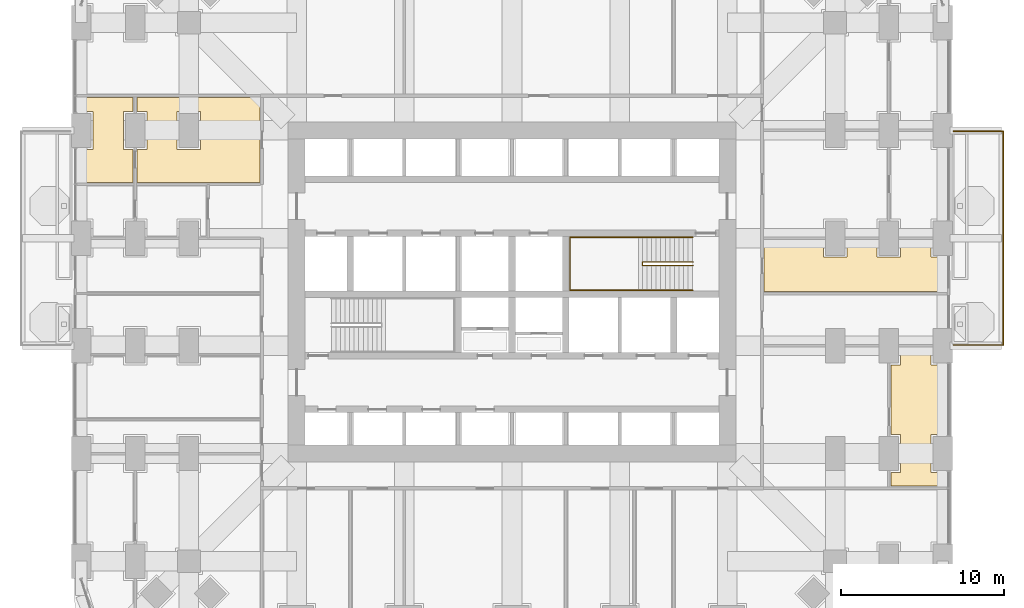
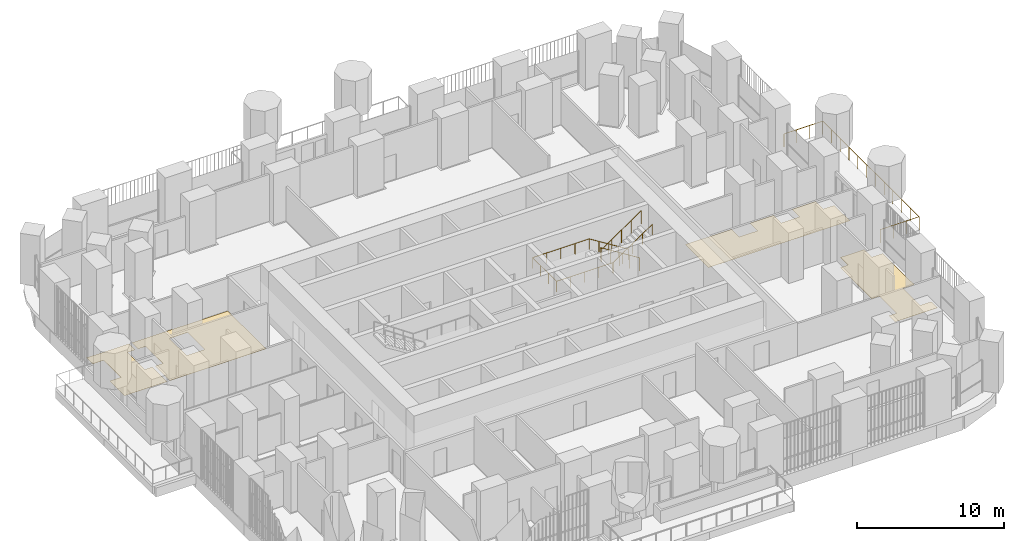
# One storey, part 24 of 26: 4 coverings, 3 railings.
"""IFC4 building model written with IfcOpenShell, lengths in metres."""

from ifc_helpers import new_model, si_unit, direction, frame, origin, place, context, subcontext, project, spatial, polyline, outline, extrude, material, layer, layer_set, type_object, element, save


model = new_model("IFC4")

# Units and contexts
model_context = context("Model", 3, precision=1e-05, world=origin(), true_north=direction((0.0, 1.0)))
body_context = subcontext(model_context, "Body", "Model", "MODEL_VIEW")
ifc_project = project(units=[si_unit("LENGTHUNIT", "METRE"), si_unit("AREAUNIT", "SQUARE_METRE"), si_unit("VOLUMEUNIT", "CUBIC_METRE"), si_unit("PLANEANGLEUNIT", "RADIAN"), si_unit("MASSUNIT", "GRAM", prefix="KILO")], contexts=[model_context])

# Site, building, storey
site_placement = place(None, origin())
site = spatial("IfcSite", under=ifc_project, at=site_placement, CompositionType="ELEMENT")
building_placement = place(site_placement, origin())
building = spatial("IfcBuilding", under=site, at=building_placement, Name="Cobogo Forest Laboratory Tower", CompositionType="ELEMENT")
storey_placement = place(building_placement, frame((0.0, 0.0, 42.300048828125)))
storey = spatial("IfcBuildingStorey", under=building, at=storey_placement, Name="L09", CompositionType="ELEMENT", Elevation=42.300048828125)

# Railing
ifc_material_1 = material(Name="Laminated glass balustrade", Category="glass")
railing_type_1 = type_object("IfcRailingType", Name="BG1 glass balustrade 1100", PredefinedType="GUARDRAIL", material=ifc_material_1)
railing_1_placement = place(storey_placement, frame((53.449951171875, 19.85009765625, 0.0)))
element("IfcRailing", 1, at=railing_1_placement, inside=storey, type_object=railing_type_1, Name="Balcony balustrade BAL-E1 L09", PredefinedType="GUARDRAIL", context=body_context, shape_type="SweptSolid", body=[
    extrude(outline(polyline([(0.022216796875, 0.00927734375), (0.00927734375, 0.022216796875), (-0.00927734375, 0.022216796875), (-0.022216796875, 0.00927734375), (-0.022216796875, -0.00927734375), (-0.00927734375, -0.022216796875), (0.00927734375, -0.022216796875), (0.022216796875, -0.00927734375), (0.022216796875, 0.00927734375)])), frame((0.0, 0.0, 1.077880859375), z_axis=(1.0, 0.0, 0.0), x_axis=(0.0, 1.0, 0.0)), (0.0, 0.0, 1.0), 3.050048828125),
    extrude(outline(polyline([(0.022216796875, 0.00927734375), (0.00927734375, 0.022216796875), (-0.00927734375, 0.022216796875), (-0.022216796875, 0.00927734375), (-0.022216796875, -0.00927734375), (-0.00927734375, -0.022216796875), (0.00927734375, -0.022216796875), (0.022216796875, -0.00927734375), (0.022216796875, 0.00927734375)])), frame((3.050048828125, 0.0, 1.077880859375), z_axis=(0.0, 1.0, 0.0), x_axis=(-1.0, 0.0, 0.0)), (0.0, 0.0, 1.0), 13.099853515625),
    extrude(outline(polyline([(0.022216796875, 0.00927734375), (0.00927734375, 0.022216796875), (-0.00927734375, 0.022216796875), (-0.022216796875, 0.00927734375), (-0.022216796875, -0.00927734375), (-0.00927734375, -0.022216796875), (0.00927734375, -0.022216796875), (0.022216796875, -0.00927734375), (0.022216796875, 0.00927734375)])), frame((3.050048828125, 13.099853515625, 1.077880859375), z_axis=(-1.0, 0.0, 0.0), x_axis=(0.0, -1.0, 0.0)), (0.0, 0.0, 1.0), 3.050048828125),
    extrude(outline(polyline([(0.019287109375, 0.008056640625), (0.008056640625, 0.019287109375), (-0.008056640625, 0.019287109375), (-0.019287109375, 0.008056640625), (-0.019287109375, -0.008056640625), (-0.008056640625, -0.019287109375), (0.008056640625, -0.019287109375), (0.019287109375, -0.008056640625), (0.019287109375, 0.008056640625)])), origin(), (0.0, 0.0, 1.0), 1.077880859375),
    extrude(outline(polyline([(0.019287109375, 0.008056640625), (0.008056640625, 0.019287109375), (-0.008056640625, 0.019287109375), (-0.019287109375, 0.008056640625), (-0.019287109375, -0.008056640625), (-0.008056640625, -0.019287109375), (0.008056640625, -0.019287109375), (0.019287109375, -0.008056640625), (0.019287109375, 0.008056640625)])), frame((1.0166015625, 0.0, 0.0)), (0.0, 0.0, 1.0), 1.077880859375),
    extrude(outline(polyline([(0.019287109375, 0.008056640625), (0.008056640625, 0.019287109375), (-0.008056640625, 0.019287109375), (-0.019287109375, 0.008056640625), (-0.019287109375, -0.008056640625), (-0.008056640625, -0.019287109375), (0.008056640625, -0.019287109375), (0.019287109375, -0.008056640625), (0.019287109375, 0.008056640625)])), frame((2.033447265625, 0.0, 0.0)), (0.0, 0.0, 1.0), 1.077880859375),
    extrude(outline(polyline([(0.019287109375, 0.008056640625), (0.008056640625, 0.019287109375), (-0.008056640625, 0.019287109375), (-0.019287109375, 0.008056640625), (-0.019287109375, -0.008056640625), (-0.008056640625, -0.019287109375), (0.008056640625, -0.019287109375), (0.019287109375, -0.008056640625), (0.019287109375, 0.008056640625)])), frame((3.050048828125, 0.0, 0.0)), (0.0, 0.0, 1.0), 1.077880859375),
    extrude(outline(polyline([(0.019287109375, 0.008056640625), (0.008056640625, 0.019287109375), (-0.008056640625, 0.019287109375), (-0.019287109375, 0.008056640625), (-0.019287109375, -0.008056640625), (-0.008056640625, -0.019287109375), (0.008056640625, -0.019287109375), (0.019287109375, -0.008056640625), (0.019287109375, 0.008056640625)])), frame((3.050048828125, 1.19091796875, 0.0)), (0.0, 0.0, 1.0), 1.077880859375),
    extrude(outline(polyline([(0.019287109375, 0.008056640625), (0.008056640625, 0.019287109375), (-0.008056640625, 0.019287109375), (-0.019287109375, 0.008056640625), (-0.019287109375, -0.008056640625), (-0.008056640625, -0.019287109375), (0.008056640625, -0.019287109375), (0.019287109375, -0.008056640625), (0.019287109375, 0.008056640625)])), frame((3.050048828125, 2.3818359375, 0.0)), (0.0, 0.0, 1.0), 1.077880859375),
    extrude(outline(polyline([(0.019287109375, 0.008056640625), (0.008056640625, 0.019287109375), (-0.008056640625, 0.019287109375), (-0.019287109375, 0.008056640625), (-0.019287109375, -0.008056640625), (-0.008056640625, -0.019287109375), (0.008056640625, -0.019287109375), (0.019287109375, -0.008056640625), (0.019287109375, 0.008056640625)])), frame((3.050048828125, 3.57275390625, 0.0)), (0.0, 0.0, 1.0), 1.077880859375),
    extrude(outline(polyline([(0.019287109375, 0.008056640625), (0.008056640625, 0.019287109375), (-0.008056640625, 0.019287109375), (-0.019287109375, 0.008056640625), (-0.019287109375, -0.008056640625), (-0.008056640625, -0.019287109375), (0.008056640625, -0.019287109375), (0.019287109375, -0.008056640625), (0.019287109375, 0.008056640625)])), frame((3.050048828125, 4.763671875, 0.0)), (0.0, 0.0, 1.0), 1.077880859375),
    extrude(outline(polyline([(0.019287109375, 0.008056640625), (0.008056640625, 0.019287109375), (-0.008056640625, 0.019287109375), (-0.019287109375, 0.008056640625), (-0.019287109375, -0.008056640625), (-0.008056640625, -0.019287109375), (0.008056640625, -0.019287109375), (0.019287109375, -0.008056640625), (0.019287109375, 0.008056640625)])), frame((3.050048828125, 5.95458984375, 0.0)), (0.0, 0.0, 1.0), 1.077880859375),
    extrude(outline(polyline([(0.019287109375, 0.008056640625), (0.008056640625, 0.019287109375), (-0.008056640625, 0.019287109375), (-0.019287109375, 0.008056640625), (-0.019287109375, -0.008056640625), (-0.008056640625, -0.019287109375), (0.008056640625, -0.019287109375), (0.019287109375, -0.008056640625), (0.019287109375, 0.008056640625)])), frame((3.050048828125, 7.145263671875, 0.0)), (0.0, 0.0, 1.0), 1.077880859375),
    extrude(outline(polyline([(0.019287109375, 0.008056640625), (0.008056640625, 0.019287109375), (-0.008056640625, 0.019287109375), (-0.019287109375, 0.008056640625), (-0.019287109375, -0.008056640625), (-0.008056640625, -0.019287109375), (0.008056640625, -0.019287109375), (0.019287109375, -0.008056640625), (0.019287109375, 0.008056640625)])), frame((3.050048828125, 8.336181640625, 0.0)), (0.0, 0.0, 1.0), 1.077880859375),
    extrude(outline(polyline([(0.019287109375, 0.008056640625), (0.008056640625, 0.019287109375), (-0.008056640625, 0.019287109375), (-0.019287109375, 0.008056640625), (-0.019287109375, -0.008056640625), (-0.008056640625, -0.019287109375), (0.008056640625, -0.019287109375), (0.019287109375, -0.008056640625), (0.019287109375, 0.008056640625)])), frame((3.050048828125, 9.527099609375, 0.0)), (0.0, 0.0, 1.0), 1.077880859375),
    extrude(outline(polyline([(0.019287109375, 0.008056640625), (0.008056640625, 0.019287109375), (-0.008056640625, 0.019287109375), (-0.019287109375, 0.008056640625), (-0.019287109375, -0.008056640625), (-0.008056640625, -0.019287109375), (0.008056640625, -0.019287109375), (0.019287109375, -0.008056640625), (0.019287109375, 0.008056640625)])), frame((3.050048828125, 10.718017578125, 0.0)), (0.0, 0.0, 1.0), 1.077880859375),
    extrude(outline(polyline([(0.019287109375, 0.008056640625), (0.008056640625, 0.019287109375), (-0.008056640625, 0.019287109375), (-0.019287109375, 0.008056640625), (-0.019287109375, -0.008056640625), (-0.008056640625, -0.019287109375), (0.008056640625, -0.019287109375), (0.019287109375, -0.008056640625), (0.019287109375, 0.008056640625)])), frame((3.050048828125, 11.908935546875, 0.0)), (0.0, 0.0, 1.0), 1.077880859375),
    extrude(outline(polyline([(0.019287109375, 0.008056640625), (0.008056640625, 0.019287109375), (-0.008056640625, 0.019287109375), (-0.019287109375, 0.008056640625), (-0.019287109375, -0.008056640625), (-0.008056640625, -0.019287109375), (0.008056640625, -0.019287109375), (0.019287109375, -0.008056640625), (0.019287109375, 0.008056640625)])), frame((3.050048828125, 13.099853515625, 0.0)), (0.0, 0.0, 1.0), 1.077880859375),
    extrude(outline(polyline([(0.019287109375, 0.008056640625), (0.008056640625, 0.019287109375), (-0.008056640625, 0.019287109375), (-0.019287109375, 0.008056640625), (-0.019287109375, -0.008056640625), (-0.008056640625, -0.019287109375), (0.008056640625, -0.019287109375), (0.019287109375, -0.008056640625), (0.019287109375, 0.008056640625)])), frame((2.033447265625, 13.099853515625, 0.0)), (0.0, 0.0, 1.0), 1.077880859375),
    extrude(outline(polyline([(0.019287109375, 0.008056640625), (0.008056640625, 0.019287109375), (-0.008056640625, 0.019287109375), (-0.019287109375, 0.008056640625), (-0.019287109375, -0.008056640625), (-0.008056640625, -0.019287109375), (0.008056640625, -0.019287109375), (0.019287109375, -0.008056640625), (0.019287109375, 0.008056640625)])), frame((1.0166015625, 13.099853515625, 0.0)), (0.0, 0.0, 1.0), 1.077880859375),
    extrude(outline(polyline([(0.019287109375, 0.008056640625), (0.008056640625, 0.019287109375), (-0.008056640625, 0.019287109375), (-0.019287109375, 0.008056640625), (-0.019287109375, -0.008056640625), (-0.008056640625, -0.019287109375), (0.008056640625, -0.019287109375), (0.019287109375, -0.008056640625), (0.019287109375, 0.008056640625)])), frame((0.0, 13.099853515625, 0.0)), (0.0, 0.0, 1.0), 1.077880859375),
])

# Coverings
ifc_material_2 = material(Name="Carpet tile on raised access floor", Category="flooring")
ifc_layer_1 = layer(ifc_material_2, 0.008056640625)
ifc_layer_set_1 = layer_set([ifc_layer_1], Name="CT1 carpet tile floor 8")
covering_type_1 = type_object("IfcCoveringType", Name="CT1 carpet tile floor 8", PredefinedType="FLOORING", material=ifc_layer_set_1)
covering_1_placement = place(storey_placement, origin())
element("IfcCovering", 2, at=covering_1_placement, inside=storey, type_object=covering_type_1, Name="Carpet floor L09-12", PredefinedType="FLOORING", context=body_context, shape_type="SweptSolid", body=[
    extrude(outline(polyline([(49.6201171875, 12.030029296875), (50.219970703125, 12.030029296875), (50.219970703125, 14.3701171875), (49.6201171875, 14.3701171875), (49.6201171875, 18.6298828125), (50.219970703125, 18.6298828125), (50.219970703125, 19.679931640625), (52.080078125, 19.679931640625), (52.080078125, 18.6298828125), (52.949951171875, 18.6298828125), (52.949951171875, 14.3701171875), (52.080078125, 14.3701171875), (52.080078125, 12.030029296875), (52.949951171875, 12.030029296875), (52.949951171875, 11.195068359375), (49.6201171875, 11.195068359375), (49.6201171875, 12.030029296875)])), origin(), (0.0, 0.0, 1.0), 0.008056640625),
])
covering_2_placement = place(storey_placement, origin())
element("IfcCovering", 3, at=covering_2_placement, inside=storey, type_object=covering_type_1, Name="Carpet floor L09-34", PredefinedType="FLOORING", context=body_context, shape_type="SweptSolid", body=[
    extrude(outline(polyline([(3.179931640625, 34.169921875), (2.580078125, 34.169921875), (2.580078125, 31.830078125), (3.179931640625, 31.830078125), (3.179931640625, 29.820068359375), (-0.14990234375, 29.820068359375), (-0.14990234375, 31.830078125), (0.719970703125, 31.830078125), (0.719970703125, 34.169921875), (-0.14990234375, 34.169921875), (-0.14990234375, 35.0048828125), (3.179931640625, 35.0048828125), (3.179931640625, 34.169921875)])), origin(), (0.0, 0.0, 1.0), 0.008056640625),
])

# Railings
ifc_material_3 = material(Name="Steel balustrade", Category="steel")
railing_type_2 = type_object("IfcRailingType", Name="GR stair guard 1100", PredefinedType="GUARDRAIL", material=ifc_material_3)
railing_2_placement = place(storey_placement, frame((37.47509765625, 24.929931640625, 0.175048828125)))
element("IfcRailing", 4, at=railing_2_placement, inside=storey, type_object=railing_type_2, Name="Stair guard ST2 L09", PredefinedType="GUARDRAIL", context=body_context, shape_type="SweptSolid", body=[
    extrude(outline(polyline([(0.022216796875, 0.00927734375), (0.00927734375, 0.022216796875), (-0.00927734375, 0.022216796875), (-0.022216796875, 0.00927734375), (-0.022216796875, -0.00927734375), (-0.00927734375, -0.022216796875), (0.00927734375, -0.022216796875), (0.022216796875, -0.00927734375), (0.022216796875, 0.00927734375)])), frame((0.0, 0.0, 1.077880859375), z_axis=(-0.848028513186, 0.0, 0.529950602248), x_axis=(0.0, -1.0, 0.0)), (0.0, 0.0, 1.0), 3.632080078125),
    extrude(outline(polyline([(0.022216796875, 0.00927734375), (0.00927734375, 0.022216796875), (-0.00927734375, 0.022216796875), (-0.022216796875, 0.00927734375), (-0.022216796875, -0.00927734375), (-0.00927734375, -0.022216796875), (0.00927734375, -0.022216796875), (0.022216796875, -0.00927734375), (0.022216796875, 0.00927734375)])), frame((-3.080078125, 0.0, 3.002685546875), z_axis=(0.0, -1.0, 0.0), x_axis=(1.0, 0.0, 0.0)), (0.0, 0.0, 1.0), 0.2099609375),
    extrude(outline(polyline([(0.022216796875, 0.00927734375), (0.00927734375, 0.022216796875), (-0.00927734375, 0.022216796875), (-0.022216796875, 0.00927734375), (-0.022216796875, -0.00927734375), (-0.00927734375, -0.022216796875), (0.00927734375, -0.022216796875), (0.022216796875, -0.00927734375), (0.022216796875, 0.00927734375)])), frame((-3.080078125, -0.2099609375, 3.002685546875), z_axis=(0.826221800596, 0.0, 0.563344953133), x_axis=(0.0, 1.0, 0.0)), (0.0, 0.0, 1.0), 3.72802734375),
    extrude(outline(polyline([(0.019287109375, 0.008056640625), (0.008056640625, 0.019287109375), (-0.008056640625, 0.019287109375), (-0.019287109375, 0.008056640625), (-0.019287109375, -0.008056640625), (-0.008056640625, -0.019287109375), (0.008056640625, -0.019287109375), (0.019287109375, -0.008056640625), (0.019287109375, 0.008056640625)])), origin(), (0.0, 0.0, 1.0), 1.077880859375),
    extrude(outline(polyline([(0.019287109375, 0.008056640625), (0.008056640625, 0.019287109375), (-0.008056640625, 0.019287109375), (-0.019287109375, 0.008056640625), (-0.019287109375, -0.008056640625), (-0.008056640625, -0.019287109375), (0.008056640625, -0.019287109375), (0.019287109375, -0.008056640625), (0.019287109375, 0.008056640625)])), frame((-0.77001953125, 0.0, 0.481201171875)), (0.0, 0.0, 1.0), 1.077880859375),
    extrude(outline(polyline([(0.019287109375, 0.008056640625), (0.008056640625, 0.019287109375), (-0.008056640625, 0.019287109375), (-0.019287109375, 0.008056640625), (-0.019287109375, -0.008056640625), (-0.008056640625, -0.019287109375), (0.008056640625, -0.019287109375), (0.019287109375, -0.008056640625), (0.019287109375, 0.008056640625)])), frame((-1.5400390625, 0.0, 0.96240234375)), (0.0, 0.0, 1.0), 1.077880859375),
    extrude(outline(polyline([(0.019287109375, 0.008056640625), (0.008056640625, 0.019287109375), (-0.008056640625, 0.019287109375), (-0.019287109375, 0.008056640625), (-0.019287109375, -0.008056640625), (-0.008056640625, -0.019287109375), (0.008056640625, -0.019287109375), (0.019287109375, -0.008056640625), (0.019287109375, 0.008056640625)])), frame((-2.31005859375, 0.0, 1.443603515625)), (0.0, 0.0, 1.0), 1.077880859375),
    extrude(outline(polyline([(0.019287109375, 0.008056640625), (0.008056640625, 0.019287109375), (-0.008056640625, 0.019287109375), (-0.019287109375, 0.008056640625), (-0.019287109375, -0.008056640625), (-0.008056640625, -0.019287109375), (0.008056640625, -0.019287109375), (0.019287109375, -0.008056640625), (0.019287109375, 0.008056640625)])), frame((-3.080078125, 0.0, 1.9248046875)), (0.0, 0.0, 1.0), 1.077880859375),
    extrude(outline(polyline([(0.019287109375, 0.008056640625), (0.008056640625, 0.019287109375), (-0.008056640625, 0.019287109375), (-0.019287109375, 0.008056640625), (-0.019287109375, -0.008056640625), (-0.008056640625, -0.019287109375), (0.008056640625, -0.019287109375), (0.019287109375, -0.008056640625), (0.019287109375, 0.008056640625)])), frame((-3.080078125, -0.2099609375, 1.9248046875)), (0.0, 0.0, 1.0), 1.077880859375),
    extrude(outline(polyline([(0.019287109375, 0.008056640625), (0.008056640625, 0.019287109375), (-0.008056640625, 0.019287109375), (-0.019287109375, 0.008056640625), (-0.019287109375, -0.008056640625), (-0.008056640625, -0.019287109375), (0.008056640625, -0.019287109375), (0.019287109375, -0.008056640625), (0.019287109375, 0.008056640625)])), frame((-2.31005859375, -0.2099609375, 2.44970703125)), (0.0, 0.0, 1.0), 1.077880859375),
    extrude(outline(polyline([(0.019287109375, 0.008056640625), (0.008056640625, 0.019287109375), (-0.008056640625, 0.019287109375), (-0.019287109375, 0.008056640625), (-0.019287109375, -0.008056640625), (-0.008056640625, -0.019287109375), (0.008056640625, -0.019287109375), (0.019287109375, -0.008056640625), (0.019287109375, 0.008056640625)])), frame((-1.5400390625, -0.2099609375, 2.974853515625)), (0.0, 0.0, 1.0), 1.077880859375),
    extrude(outline(polyline([(0.019287109375, 0.008056640625), (0.008056640625, 0.019287109375), (-0.008056640625, 0.019287109375), (-0.019287109375, 0.008056640625), (-0.019287109375, -0.008056640625), (-0.008056640625, -0.019287109375), (0.008056640625, -0.019287109375), (0.019287109375, -0.008056640625), (0.019287109375, 0.008056640625)])), frame((-0.77001953125, -0.2099609375, 3.5)), (0.0, 0.0, 1.0), 1.077880859375),
    extrude(outline(polyline([(0.019287109375, 0.008056640625), (0.008056640625, 0.019287109375), (-0.008056640625, 0.019287109375), (-0.019287109375, 0.008056640625), (-0.019287109375, -0.008056640625), (-0.008056640625, -0.019287109375), (0.008056640625, -0.019287109375), (0.019287109375, -0.008056640625), (0.019287109375, 0.008056640625)])), frame((0.0, -0.2099609375, 4.02490234375)), (0.0, 0.0, 1.0), 1.077880859375),
])
ifc_material_4 = material(Name="Stainless steel handrail", Category="steel")
railing_type_3 = type_object("IfcRailingType", Name="HR handrail 900", PredefinedType="HANDRAIL", material=ifc_material_4)
railing_3_placement = place(storey_placement, frame((37.47509765625, 26.449951171875, 0.175048828125)))
element("IfcRailing", 5, at=railing_3_placement, inside=storey, type_object=railing_type_3, Name="Stair handrail ST2 L09", PredefinedType="HANDRAIL", context=body_context, shape_type="SweptSolid", body=[
    extrude(outline(polyline([(0.022216796875, 0.00927734375), (0.00927734375, 0.022216796875), (-0.00927734375, 0.022216796875), (-0.022216796875, 0.00927734375), (-0.022216796875, -0.00927734375), (-0.00927734375, -0.022216796875), (0.00927734375, -0.022216796875), (0.022216796875, -0.00927734375), (0.022216796875, 0.00927734375)])), frame((0.0, 0.0, 0.877685546875), z_axis=(-0.848028513186, 0.0, 0.529950602248), x_axis=(0.0, -1.0, 0.0)), (0.0, 0.0, 1.0), 3.632080078125),
    extrude(outline(polyline([(0.022216796875, 0.00927734375), (0.00927734375, 0.022216796875), (-0.00927734375, 0.022216796875), (-0.022216796875, 0.00927734375), (-0.022216796875, -0.00927734375), (-0.00927734375, -0.022216796875), (0.00927734375, -0.022216796875), (0.022216796875, -0.00927734375), (0.022216796875, 0.00927734375)])), frame((-3.080078125, 0.0, 2.802490234375), z_axis=(-1.0, 0.0, 0.0), x_axis=(0.0, -1.0, 0.0)), (0.0, 0.0, 1.0), 4.445068359375),
    extrude(outline(polyline([(0.022216796875, 0.00927734375), (0.00927734375, 0.022216796875), (-0.00927734375, 0.022216796875), (-0.022216796875, 0.00927734375), (-0.022216796875, -0.00927734375), (-0.00927734375, -0.022216796875), (0.00927734375, -0.022216796875), (0.022216796875, -0.00927734375), (0.022216796875, 0.00927734375)])), frame((-7.525146484375, 0.0, 2.802490234375), z_axis=(0.0, -1.0, 0.0), x_axis=(1.0, 0.0, 0.0)), (0.0, 0.0, 1.0), 3.25),
    extrude(outline(polyline([(0.022216796875, 0.00927734375), (0.00927734375, 0.022216796875), (-0.00927734375, 0.022216796875), (-0.022216796875, 0.00927734375), (-0.022216796875, -0.00927734375), (-0.00927734375, -0.022216796875), (0.00927734375, -0.022216796875), (0.022216796875, -0.00927734375), (0.022216796875, 0.00927734375)])), frame((-7.525146484375, -3.25, 2.802490234375), z_axis=(1.0, 0.0, 0.0), x_axis=(0.0, 1.0, 0.0)), (0.0, 0.0, 1.0), 4.445068359375),
    extrude(outline(polyline([(0.022216796875, 0.00927734375), (0.00927734375, 0.022216796875), (-0.00927734375, 0.022216796875), (-0.022216796875, 0.00927734375), (-0.022216796875, -0.00927734375), (-0.00927734375, -0.022216796875), (0.00927734375, -0.022216796875), (0.022216796875, -0.00927734375), (0.022216796875, 0.00927734375)])), frame((-3.080078125, -3.25, 2.802490234375), z_axis=(0.826221800596, 0.0, 0.563344953133), x_axis=(0.0, 1.0, 0.0)), (0.0, 0.0, 1.0), 3.72802734375),
    extrude(outline(polyline([(0.019287109375, 0.008056640625), (0.008056640625, 0.019287109375), (-0.008056640625, 0.019287109375), (-0.019287109375, 0.008056640625), (-0.019287109375, -0.008056640625), (-0.008056640625, -0.019287109375), (0.008056640625, -0.019287109375), (0.019287109375, -0.008056640625), (0.019287109375, 0.008056640625)])), origin(), (0.0, 0.0, 1.0), 0.877685546875),
    extrude(outline(polyline([(0.019287109375, 0.008056640625), (0.008056640625, 0.019287109375), (-0.008056640625, 0.019287109375), (-0.019287109375, 0.008056640625), (-0.019287109375, -0.008056640625), (-0.008056640625, -0.019287109375), (0.008056640625, -0.019287109375), (0.019287109375, -0.008056640625), (0.019287109375, 0.008056640625)])), frame((-0.77001953125, 0.0, 0.481201171875)), (0.0, 0.0, 1.0), 0.877685546875),
    extrude(outline(polyline([(0.019287109375, 0.008056640625), (0.008056640625, 0.019287109375), (-0.008056640625, 0.019287109375), (-0.019287109375, 0.008056640625), (-0.019287109375, -0.008056640625), (-0.008056640625, -0.019287109375), (0.008056640625, -0.019287109375), (0.019287109375, -0.008056640625), (0.019287109375, 0.008056640625)])), frame((-1.5400390625, 0.0, 0.96240234375)), (0.0, 0.0, 1.0), 0.877685546875),
    extrude(outline(polyline([(0.019287109375, 0.008056640625), (0.008056640625, 0.019287109375), (-0.008056640625, 0.019287109375), (-0.019287109375, 0.008056640625), (-0.019287109375, -0.008056640625), (-0.008056640625, -0.019287109375), (0.008056640625, -0.019287109375), (0.019287109375, -0.008056640625), (0.019287109375, 0.008056640625)])), frame((-2.31005859375, 0.0, 1.443603515625)), (0.0, 0.0, 1.0), 0.877685546875),
    extrude(outline(polyline([(0.019287109375, 0.008056640625), (0.008056640625, 0.019287109375), (-0.008056640625, 0.019287109375), (-0.019287109375, 0.008056640625), (-0.019287109375, -0.008056640625), (-0.008056640625, -0.019287109375), (0.008056640625, -0.019287109375), (0.019287109375, -0.008056640625), (0.019287109375, 0.008056640625)])), frame((-3.080078125, 0.0, 1.9248046875)), (0.0, 0.0, 1.0), 0.877685546875),
    extrude(outline(polyline([(0.019287109375, 0.008056640625), (0.008056640625, 0.019287109375), (-0.008056640625, 0.019287109375), (-0.019287109375, 0.008056640625), (-0.019287109375, -0.008056640625), (-0.008056640625, -0.019287109375), (0.008056640625, -0.019287109375), (0.019287109375, -0.008056640625), (0.019287109375, 0.008056640625)])), frame((-4.19140625, 0.0, 1.9248046875)), (0.0, 0.0, 1.0), 0.877685546875),
    extrude(outline(polyline([(0.019287109375, 0.008056640625), (0.008056640625, 0.019287109375), (-0.008056640625, 0.019287109375), (-0.019287109375, 0.008056640625), (-0.019287109375, -0.008056640625), (-0.008056640625, -0.019287109375), (0.008056640625, -0.019287109375), (0.019287109375, -0.008056640625), (0.019287109375, 0.008056640625)])), frame((-5.302734375, 0.0, 1.9248046875)), (0.0, 0.0, 1.0), 0.877685546875),
    extrude(outline(polyline([(0.019287109375, 0.008056640625), (0.008056640625, 0.019287109375), (-0.008056640625, 0.019287109375), (-0.019287109375, 0.008056640625), (-0.019287109375, -0.008056640625), (-0.008056640625, -0.019287109375), (0.008056640625, -0.019287109375), (0.019287109375, -0.008056640625), (0.019287109375, 0.008056640625)])), frame((-6.413818359375, 0.0, 1.9248046875)), (0.0, 0.0, 1.0), 0.877685546875),
    extrude(outline(polyline([(0.019287109375, 0.008056640625), (0.008056640625, 0.019287109375), (-0.008056640625, 0.019287109375), (-0.019287109375, 0.008056640625), (-0.019287109375, -0.008056640625), (-0.008056640625, -0.019287109375), (0.008056640625, -0.019287109375), (0.019287109375, -0.008056640625), (0.019287109375, 0.008056640625)])), frame((-7.525146484375, 0.0, 1.9248046875)), (0.0, 0.0, 1.0), 0.877685546875),
    extrude(outline(polyline([(0.019287109375, 0.008056640625), (0.008056640625, 0.019287109375), (-0.008056640625, 0.019287109375), (-0.019287109375, 0.008056640625), (-0.019287109375, -0.008056640625), (-0.008056640625, -0.019287109375), (0.008056640625, -0.019287109375), (0.019287109375, -0.008056640625), (0.019287109375, 0.008056640625)])), frame((-7.525146484375, -1.083251953125, 1.9248046875)), (0.0, 0.0, 1.0), 0.877685546875),
    extrude(outline(polyline([(0.019287109375, 0.008056640625), (0.008056640625, 0.019287109375), (-0.008056640625, 0.019287109375), (-0.019287109375, 0.008056640625), (-0.019287109375, -0.008056640625), (-0.008056640625, -0.019287109375), (0.008056640625, -0.019287109375), (0.019287109375, -0.008056640625), (0.019287109375, 0.008056640625)])), frame((-7.525146484375, -2.166748046875, 1.9248046875)), (0.0, 0.0, 1.0), 0.877685546875),
    extrude(outline(polyline([(0.019287109375, 0.008056640625), (0.008056640625, 0.019287109375), (-0.008056640625, 0.019287109375), (-0.019287109375, 0.008056640625), (-0.019287109375, -0.008056640625), (-0.008056640625, -0.019287109375), (0.008056640625, -0.019287109375), (0.019287109375, -0.008056640625), (0.019287109375, 0.008056640625)])), frame((-7.525146484375, -3.25, 1.9248046875)), (0.0, 0.0, 1.0), 0.877685546875),
    extrude(outline(polyline([(0.019287109375, 0.008056640625), (0.008056640625, 0.019287109375), (-0.008056640625, 0.019287109375), (-0.019287109375, 0.008056640625), (-0.019287109375, -0.008056640625), (-0.008056640625, -0.019287109375), (0.008056640625, -0.019287109375), (0.019287109375, -0.008056640625), (0.019287109375, 0.008056640625)])), frame((-6.413818359375, -3.25, 1.9248046875)), (0.0, 0.0, 1.0), 0.877685546875),
    extrude(outline(polyline([(0.019287109375, 0.008056640625), (0.008056640625, 0.019287109375), (-0.008056640625, 0.019287109375), (-0.019287109375, 0.008056640625), (-0.019287109375, -0.008056640625), (-0.008056640625, -0.019287109375), (0.008056640625, -0.019287109375), (0.019287109375, -0.008056640625), (0.019287109375, 0.008056640625)])), frame((-5.302734375, -3.25, 1.9248046875)), (0.0, 0.0, 1.0), 0.877685546875),
    extrude(outline(polyline([(0.019287109375, 0.008056640625), (0.008056640625, 0.019287109375), (-0.008056640625, 0.019287109375), (-0.019287109375, 0.008056640625), (-0.019287109375, -0.008056640625), (-0.008056640625, -0.019287109375), (0.008056640625, -0.019287109375), (0.019287109375, -0.008056640625), (0.019287109375, 0.008056640625)])), frame((-4.19140625, -3.25, 1.9248046875)), (0.0, 0.0, 1.0), 0.877685546875),
    extrude(outline(polyline([(0.019287109375, 0.008056640625), (0.008056640625, 0.019287109375), (-0.008056640625, 0.019287109375), (-0.019287109375, 0.008056640625), (-0.019287109375, -0.008056640625), (-0.008056640625, -0.019287109375), (0.008056640625, -0.019287109375), (0.019287109375, -0.008056640625), (0.019287109375, 0.008056640625)])), frame((-3.080078125, -3.25, 1.9248046875)), (0.0, 0.0, 1.0), 0.877685546875),
    extrude(outline(polyline([(0.019287109375, 0.008056640625), (0.008056640625, 0.019287109375), (-0.008056640625, 0.019287109375), (-0.019287109375, 0.008056640625), (-0.019287109375, -0.008056640625), (-0.008056640625, -0.019287109375), (0.008056640625, -0.019287109375), (0.019287109375, -0.008056640625), (0.019287109375, 0.008056640625)])), frame((-2.31005859375, -3.25, 2.44970703125)), (0.0, 0.0, 1.0), 0.877685546875),
    extrude(outline(polyline([(0.019287109375, 0.008056640625), (0.008056640625, 0.019287109375), (-0.008056640625, 0.019287109375), (-0.019287109375, 0.008056640625), (-0.019287109375, -0.008056640625), (-0.008056640625, -0.019287109375), (0.008056640625, -0.019287109375), (0.019287109375, -0.008056640625), (0.019287109375, 0.008056640625)])), frame((-1.5400390625, -3.25, 2.974853515625)), (0.0, 0.0, 1.0), 0.877685546875),
    extrude(outline(polyline([(0.019287109375, 0.008056640625), (0.008056640625, 0.019287109375), (-0.008056640625, 0.019287109375), (-0.019287109375, 0.008056640625), (-0.019287109375, -0.008056640625), (-0.008056640625, -0.019287109375), (0.008056640625, -0.019287109375), (0.019287109375, -0.008056640625), (0.019287109375, 0.008056640625)])), frame((-0.77001953125, -3.25, 3.5)), (0.0, 0.0, 1.0), 0.877685546875),
    extrude(outline(polyline([(0.019287109375, 0.008056640625), (0.008056640625, 0.019287109375), (-0.008056640625, 0.019287109375), (-0.019287109375, 0.008056640625), (-0.019287109375, -0.008056640625), (-0.008056640625, -0.019287109375), (0.008056640625, -0.019287109375), (0.019287109375, -0.008056640625), (0.019287109375, 0.008056640625)])), frame((0.0, -3.25, 4.02490234375)), (0.0, 0.0, 1.0), 0.877685546875),
])

# Coverings
ifc_material_5 = material(Name="Static-dissipative vinyl flooring", Category="flooring")
ifc_layer_2 = layer(ifc_material_5, 0.0029296875)
ifc_layer_set_2 = layer_set([ifc_layer_2], Name="SD1 static-dissipative vinyl floor 3")
covering_type_2 = type_object("IfcCoveringType", Name="SD1 static-dissipative vinyl floor 3", PredefinedType="FLOORING", material=ifc_layer_set_2)
covering_3_placement = place(storey_placement, origin())
element("IfcCovering", 6, at=covering_3_placement, inside=storey, type_object=covering_type_2, Name="Static-dissipative floor L09-14", PredefinedType="FLOORING", context=body_context, shape_type="SweptSolid", body=[
    extrude(outline(polyline([(41.844970703125, 26.280029296875), (45.47998046875, 26.280029296875), (45.47998046875, 25.22998046875), (46.919921875, 25.22998046875), (46.919921875, 26.280029296875), (48.780029296875, 26.280029296875), (48.780029296875, 25.22998046875), (50.219970703125, 25.22998046875), (50.219970703125, 26.280029296875), (52.080078125, 26.280029296875), (52.080078125, 25.22998046875), (52.949951171875, 25.22998046875), (52.949951171875, 23.1201171875), (41.844970703125, 23.1201171875), (41.844970703125, 26.280029296875)])), origin(), (0.0, 0.0, 1.0), 0.0029296875),
])
ifc_material_6 = material(Name="Ceramic floor tile", Category="flooring")
ifc_layer_3 = layer(ifc_material_6, 0.010009765625)
ifc_layer_set_3 = layer_set([ifc_layer_3], Name="TF1 ceramic tile floor 10")
covering_type_3 = type_object("IfcCoveringType", Name="TF1 ceramic tile floor 10", PredefinedType="FLOORING", material=ifc_layer_set_3)
covering_4_placement = place(storey_placement, origin())
element("IfcCovering", 7, at=covering_4_placement, inside=storey, type_object=covering_type_3, Name="Tile floor L09-33", PredefinedType="FLOORING", context=body_context, shape_type="SweptSolid", body=[
    extrude(outline(polyline([(3.419921875, 31.830078125), (4.02001953125, 31.830078125), (4.02001953125, 34.169921875), (3.419921875, 34.169921875), (3.419921875, 35.0048828125), (10.955078125, 35.0048828125), (10.955078125, 29.820068359375), (3.419921875, 29.820068359375), (3.419921875, 31.830078125)]), holes=[polyline([(5.8798828125, 31.830078125), (7.320068359375, 31.830078125), (7.320068359375, 34.169921875), (5.8798828125, 34.169921875), (5.8798828125, 31.830078125)])]), origin(), (0.0, 0.0, 1.0), 0.010009765625),
])

save(model, "model.ifc")
